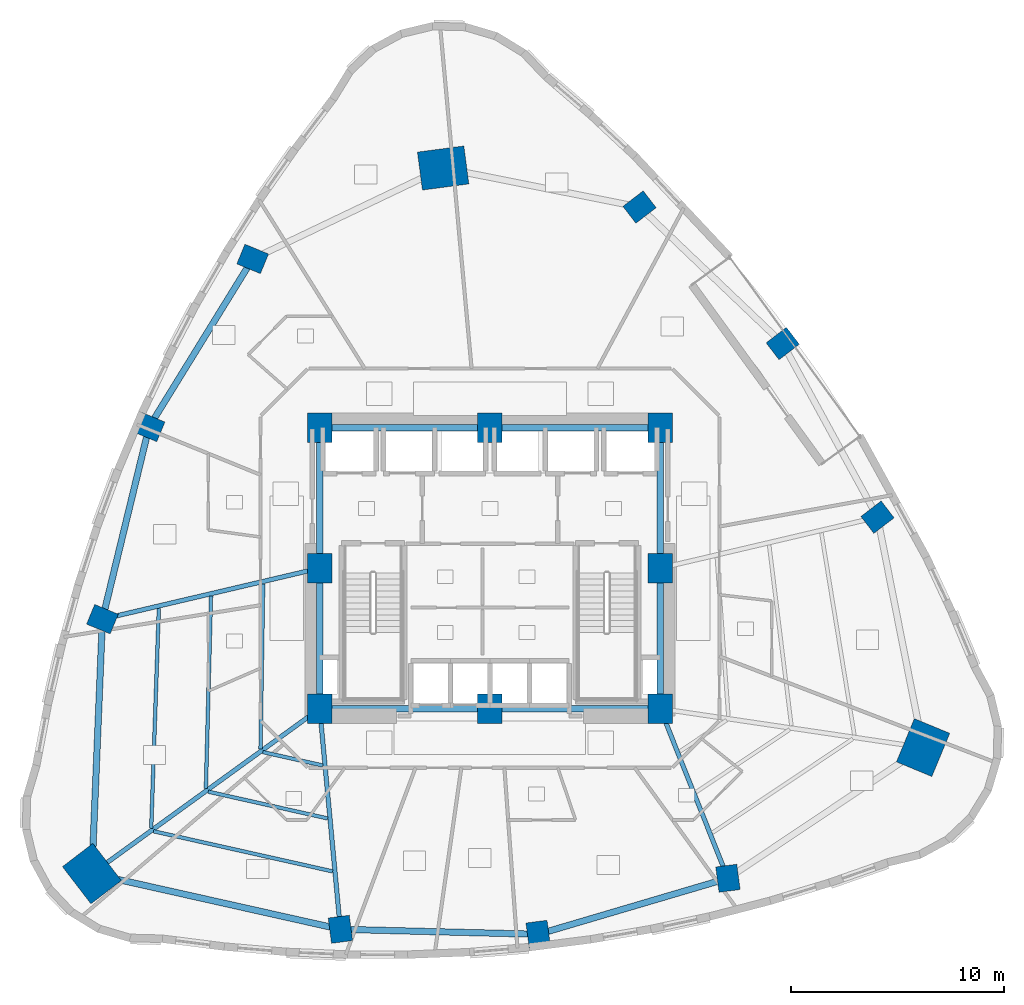
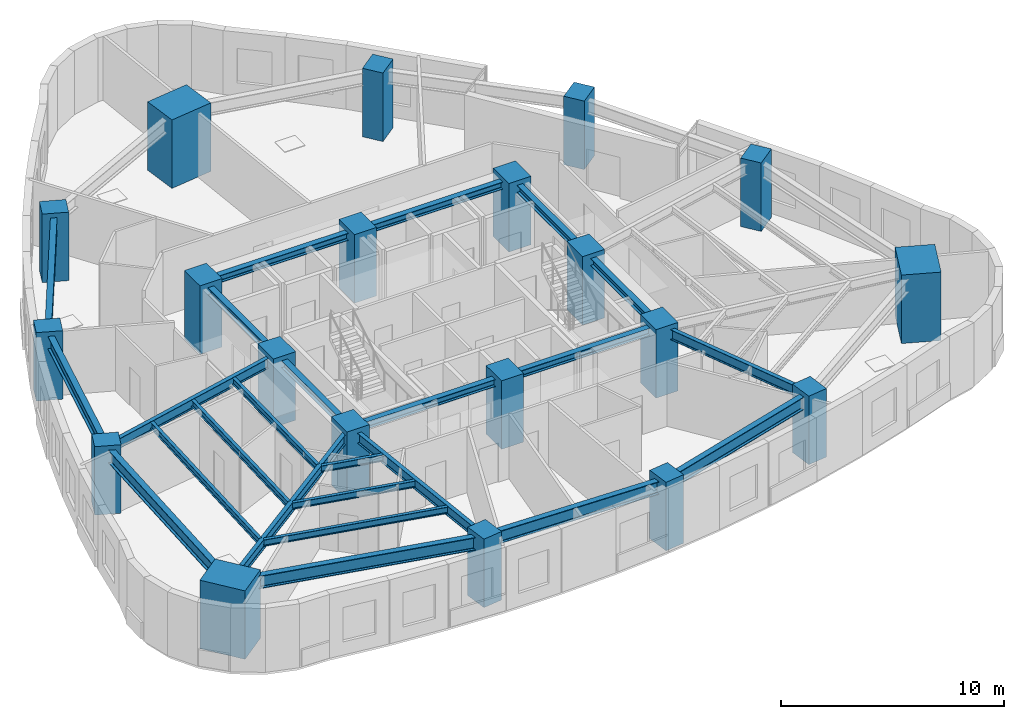
# One storey, part 1 of 15: 24 beams, 20 columns.
"""IFC4 building model written with IfcOpenShell, lengths in metres."""

from ifc_helpers import new_model, si_unit, direction, frame, origin, origin_2d, place, context, subcontext, project, spatial, rectangle, i_section, extrude, material, material_profile, profile_set, type_object, element, save


model = new_model("IFC4")

# Units and contexts
model_context = context("Model", 3, precision=1e-05, world=origin(), true_north=direction((0.0, 1.0)))
body_context = subcontext(model_context, "Body", "Model", "MODEL_VIEW")
ifc_project = project(units=[si_unit("LENGTHUNIT", "METRE"), si_unit("AREAUNIT", "SQUARE_METRE"), si_unit("VOLUMEUNIT", "CUBIC_METRE"), si_unit("PLANEANGLEUNIT", "RADIAN"), si_unit("MASSUNIT", "GRAM", prefix="KILO")], contexts=[model_context])

# Site, building, storey
site_placement = place(None, origin())
site = spatial("IfcSite", under=ifc_project, at=site_placement, CompositionType="ELEMENT")
building_placement = place(site_placement, origin())
building = spatial("IfcBuilding", under=site, at=building_placement, Name="Ndelora Gate Hotel", CompositionType="ELEMENT")
storey_placement = place(building_placement, frame((0.0, 0.0, 53.0)))
storey = spatial("IfcBuildingStorey", under=building, at=storey_placement, Name="L12", CompositionType="ELEMENT", Elevation=53.0)

# Columns
ifc_material_1 = material(Name="Concrete C60/75", Category="concrete")
ifc_material_profile_1 = material_profile(ifc_material_1, rectangle(XDim=1.14990234375, YDim=1.39990234375, at=origin_2d()), Name="RC 1400x1150")
ifc_profile_set_1 = profile_set([ifc_material_profile_1], Name="Concrete C60/75")
column_type_1 = type_object("IfcColumnType", Name="COL-CC-LOW", PredefinedType="COLUMN", material=ifc_profile_set_1)
for number, where, z_axis, x_axis, name in (
    (1, (-8.0, -6.60009765625, 0.0), (0.0, 0.0, 1.0), (1.0, 0.0, 0.0), "L12 Core Column CC1"),
    (2, (0.0, -6.60009765625, 0.0), (0.0, 0.0, 1.0), (1.0, 0.0, 0.0), "L12 Core Column CC2"),
    (3, (8.0, -6.60009765625, 0.0), (0.0, 0.0, 1.0), (1.0, 0.0, 0.0), "L12 Core Column CC3"),
    (4, (8.0, 0.0, 0.0), (0.0, 0.0, 1.0), (1.0, 0.0, 0.0), "L12 Core Column CC4"),
    (5, (8.0, 6.60009765625, 0.0), (0.0, 0.0, 1.0), (1.0, 0.0, 0.0), "L12 Core Column CC5"),
    (6, (0.0, 6.60009765625, 0.0), (0.0, 0.0, 1.0), (1.0, 0.0, 0.0), "L12 Core Column CC6"),
    (7, (-8.0, 6.60009765625, 0.0), (0.0, 0.0, 1.0), (1.0, 0.0, 0.0), "L12 Core Column CC7"),
    (8, (-8.0, 0.0, 0.0), (0.0, 0.0, 1.0), (1.0, 0.0, 0.0), "L12 Core Column CC8"),
):
    element("IfcColumn", number, at=place(storey_placement, frame(where, z_axis=z_axis, x_axis=x_axis)), inside=storey, type_object=column_type_1, Name=name, PredefinedType="COLUMN", context=body_context, shape_type="SweptSolid", body=[
        extrude(rectangle(XDim=1.14990234375, YDim=1.39990234375, at=origin_2d()), origin(), (0.0, 0.0, 1.0), 3.75),
    ])
ifc_material_profile_2 = material_profile(ifc_material_1, rectangle(XDim=1.800048828125, YDim=2.199951171875, at=origin_2d()), Name="RC 2200x1800")
ifc_profile_set_2 = profile_set([ifc_material_profile_2], Name="Concrete C60/75")
column_type_2 = type_object("IfcColumnType", Name="COL-MC-Z1", PredefinedType="COLUMN", material=ifc_profile_set_2)
for number, where, z_axis, x_axis, name in (
    (9, (-2.199951171875, 18.800048828125, 0.0), (0.0, 0.0, 1.0), (-0.13052619222, 0.991444861374, 0.0), "L12 Corner Mega-Column R1"),
    (10, (-18.701904296875, -14.3505859375, 0.0), (0.0, 0.0, 1.0), (0.793353340291, 0.608761429009, 0.0), "L12 Corner Mega-Column R5"),
    (11, (20.35009765625, -8.42919921875, 0.0), (0.0, 0.0, 1.0), (-0.923879532511, 0.382683432365, 0.0), "L12 Corner Mega-Column R9"),
):
    element("IfcColumn", number, at=place(storey_placement, frame(where, z_axis=z_axis, x_axis=x_axis)), inside=storey, type_object=column_type_2, Name=name, PredefinedType="COLUMN", context=body_context, shape_type="SweptSolid", body=[
        extrude(rectangle(XDim=1.800048828125, YDim=2.199951171875, at=origin_2d()), origin(), (0.0, 0.0, 1.0), 3.75),
    ])
ifc_material_profile_3 = material_profile(ifc_material_1, rectangle(XDim=1.0, YDim=1.199951171875, at=origin_2d()), Name="RC 1200x1000")
ifc_profile_set_3 = profile_set([ifc_material_profile_3], Name="Concrete C60/75")
column_type_3 = type_object("IfcColumnType", Name="COL-PT-Z1", PredefinedType="COLUMN", material=ifc_profile_set_3)
for number, where, z_axis, x_axis, name in (
    (12, (-11.1484375, 14.529052734375, 0.0), (0.0, 0.0, 1.0), (0.382683432365, 0.923879532511, 0.0), "L12 Perimeter Tube Column R2"),
    (13, (-16.016845703125, 6.634521484375, 0.0), (0.0, 0.0, 1.0), (0.382683432365, 0.923879532511, 0.0), "L12 Perimeter Tube Column R3"),
    (14, (-18.207275390625, -2.39697265625, 0.0), (0.0, 0.0, 1.0), (0.382683432365, 0.923879532511, 0.0), "L12 Perimeter Tube Column R4"),
    (15, (-7.027587890625, -16.96630859375, 0.0), (0.0, 0.0, 1.0), (0.991444861374, 0.13052619222, 0.0), "L12 Perimeter Tube Column R6"),
    (16, (2.2646484375, -17.20166015625, 0.0), (0.0, 0.0, 1.0), (0.991444861374, 0.13052619222, 0.0), "L12 Perimeter Tube Column R7"),
    (17, (11.179443359375, -14.5693359375, 0.0), (0.0, 0.0, 1.0), (0.991444861374, 0.13052619222, 0.0), "L12 Perimeter Tube Column R8"),
    (18, (18.207275390625, 2.39697265625, 0.0), (0.0, 0.0, 1.0), (-0.608761429009, 0.793353340291, 0.0), "L12 Perimeter Tube Column R10"),
    (19, (13.75390625, 10.5537109375, 0.0), (0.0, 0.0, 1.0), (-0.608761429009, 0.793353340291, 0.0), "L12 Perimeter Tube Column R11"),
    (20, (7.027587890625, 16.96630859375, 0.0), (0.0, 0.0, 1.0), (-0.608761429009, 0.793353340291, 0.0), "L12 Perimeter Tube Column R12"),
):
    element("IfcColumn", number, at=place(storey_placement, frame(where, z_axis=z_axis, x_axis=x_axis)), inside=storey, type_object=column_type_3, Name=name, PredefinedType="COLUMN", context=body_context, shape_type="SweptSolid", body=[
        extrude(rectangle(XDim=1.0, YDim=1.199951171875, at=origin_2d()), origin(), (0.0, 0.0, 1.0), 3.75),
    ])

# Beams
ifc_material_2 = material(Name="Steel S355", Category="steel")
ifc_material_profile_4 = material_profile(ifc_material_2, i_section(OverallWidth=0.300048828125, OverallDepth=0.39990234375, WebThickness=0.013427734375, FlangeThickness=0.02392578125, FilletRadius=0.027099609375, at=origin_2d()), Name="HEB 400")
ifc_profile_set_4 = profile_set([ifc_material_profile_4], Name="Steel S355")
beam_type_1 = type_object("IfcBeamType", Name="BM-CORE-400", PredefinedType="BEAM", material=ifc_profile_set_4)
for number, where, z_axis, x_axis, name in (
    (21, (-8.0, 6.60009765625, 3.300048828125), (1.0, 0.0, 0.0), (0.0, 1.0, 0.0), "L12 Core Tie Girder CC7-CC6"),
    (22, (0.0, 6.60009765625, 3.300048828125), (1.0, 0.0, 0.0), (0.0, 1.0, 0.0), "L12 Core Tie Girder CC6-CC5"),
):
    element("IfcBeam", number, at=place(storey_placement, frame(where, z_axis=z_axis, x_axis=x_axis)), inside=storey, type_object=beam_type_1, Name=name, PredefinedType="BEAM", context=body_context, shape_type="SweptSolid", body=[
        extrude(i_section(OverallWidth=0.300048828125, OverallDepth=0.39990234375, WebThickness=0.013427734375, FlangeThickness=0.02392578125, FilletRadius=0.027099609375, at=origin_2d()), origin(), (0.0, 0.0, 1.0), 8.0),
    ])
for number, where, z_axis, x_axis, name in (
    (23, (-8.0, -6.60009765625, 3.300048828125), (0.0, 1.0, 0.0), (-1.0, 0.0, 0.0), "L12 Core Tie Girder CC1-CC8"),
    (24, (-8.0, 0.0, 3.300048828125), (0.0, 1.0, 0.0), (-1.0, 0.0, 0.0), "L12 Core Tie Girder CC8-CC7"),
    (25, (8.0, -6.60009765625, 3.300048828125), (0.0, 1.0, 0.0), (-1.0, 0.0, 0.0), "L12 Core Tie Girder CC3-CC4"),
    (26, (8.0, 0.0, 3.300048828125), (0.0, 1.0, 0.0), (-1.0, 0.0, 0.0), "L12 Core Tie Girder CC4-CC5"),
):
    element("IfcBeam", number, at=place(storey_placement, frame(where, z_axis=z_axis, x_axis=x_axis)), inside=storey, type_object=beam_type_1, Name=name, PredefinedType="BEAM", context=body_context, shape_type="SweptSolid", body=[
        extrude(i_section(OverallWidth=0.300048828125, OverallDepth=0.39990234375, WebThickness=0.013427734375, FlangeThickness=0.02392578125, FilletRadius=0.027099609375, at=origin_2d()), origin(), (0.0, 0.0, 1.0), 6.60009765625),
    ])
for number, where, z_axis, x_axis, name in (
    (27, (-8.0, -6.60009765625, 3.300048828125), (1.0, 0.0, 0.0), (0.0, 1.0, 0.0), "L12 Core Tie Girder CC1-CC2"),
    (28, (0.0, -6.60009765625, 3.300048828125), (1.0, 0.0, 0.0), (0.0, 1.0, 0.0), "L12 Core Tie Girder CC2-CC3"),
):
    element("IfcBeam", number, at=place(storey_placement, frame(where, z_axis=z_axis, x_axis=x_axis)), inside=storey, type_object=beam_type_1, Name=name, PredefinedType="BEAM", context=body_context, shape_type="SweptSolid", body=[
        extrude(i_section(OverallWidth=0.300048828125, OverallDepth=0.39990234375, WebThickness=0.013427734375, FlangeThickness=0.02392578125, FilletRadius=0.027099609375, at=origin_2d()), origin(), (0.0, 0.0, 1.0), 8.0),
    ])
ifc_material_profile_5 = material_profile(ifc_material_2, i_section(OverallWidth=0.169921875, OverallDepth=0.360107421875, WebThickness=0.008056640625, FlangeThickness=0.0126953125, FilletRadius=0.01806640625, at=origin_2d()), Name="IPE 360")
ifc_profile_set_5 = profile_set([ifc_material_profile_5], Name="Steel S355")
beam_type_2 = type_object("IfcBeamType", Name="BM-JST-360", PredefinedType="JOIST", material=ifc_profile_set_5)
beam_1_placement = place(storey_placement, frame((-10.65576171875, -0.73828125, 3.320068359375), z_axis=(-0.016071150123, -0.999870850727, 0.0), x_axis=(0.999870850727, -0.016071150123, 0.0)))
element("IfcBeam", 29, at=beam_1_placement, inside=storey, type_object=beam_type_2, Name="L12 Secondary Composite Floor Joist IN-4", PredefinedType="JOIST", context=body_context, shape_type="SweptSolid", body=[
    extrude(i_section(OverallWidth=0.169921875, OverallDepth=0.360107421875, WebThickness=0.008056640625, FlangeThickness=0.0126953125, FilletRadius=0.01806640625, at=origin_2d()), origin(), (0.0, 0.0, 1.0), 7.7626953125),
])
beam_2_placement = place(storey_placement, frame((-13.106689453125, -1.3134765625, 3.320068359375), z_axis=(-0.02665287705, -0.999644748971, 0.0), x_axis=(0.999644748971, -0.02665287705, 0.0)))
element("IfcBeam", 30, at=beam_2_placement, inside=storey, type_object=beam_type_2, Name="L12 Secondary Composite Floor Joist MID-4", PredefinedType="JOIST", context=body_context, shape_type="SweptSolid", body=[
    extrude(i_section(OverallWidth=0.169921875, OverallDepth=0.360107421875, WebThickness=0.008056640625, FlangeThickness=0.0126953125, FilletRadius=0.01806640625, at=origin_2d()), origin(), (0.0, 0.0, 1.0), 9.050048828125),
])
beam_3_placement = place(storey_placement, frame((-15.557373046875, -1.888671875, 3.320068359375), z_axis=(-0.034620883261, -0.999400517532, 0.0), x_axis=(0.999400517532, -0.034620883261, 0.0)))
element("IfcBeam", 31, at=beam_3_placement, inside=storey, type_object=beam_type_2, Name="L12 Secondary Composite Floor Joist OUT-4", PredefinedType="JOIST", context=body_context, shape_type="SweptSolid", body=[
    extrude(i_section(OverallWidth=0.169921875, OverallDepth=0.360107421875, WebThickness=0.008056640625, FlangeThickness=0.0126953125, FilletRadius=0.01806640625, at=origin_2d()), origin(), (0.0, 0.0, 1.0), 10.337890625),
])
beam_4_placement = place(storey_placement, frame((-10.67041015625, -8.640380859375, 3.320068359375), z_axis=(0.975820751938, -0.218572322325, 0.0), x_axis=(0.218572322325, 0.975820751938, 0.0)))
element("IfcBeam", 32, at=beam_4_placement, inside=storey, type_object=beam_type_2, Name="L12 Secondary Composite Floor Joist IN-5", PredefinedType="JOIST", context=body_context, shape_type="SweptSolid", body=[
    extrude(i_section(OverallWidth=0.169921875, OverallDepth=0.360107421875, WebThickness=0.008056640625, FlangeThickness=0.0126953125, FilletRadius=0.01806640625, at=origin_2d()), origin(), (0.0, 0.0, 1.0), 2.880615234375),
])
beam_5_placement = place(storey_placement, frame((-13.23876953125, -10.50048828125, 3.320068359375), z_axis=(0.975805037012, -0.218642470123, 0.0), x_axis=(0.218642470123, 0.975805037012, 0.0)))
element("IfcBeam", 33, at=beam_5_placement, inside=storey, type_object=beam_type_2, Name="L12 Secondary Composite Floor Joist MID-5", PredefinedType="JOIST", context=body_context, shape_type="SweptSolid", body=[
    extrude(i_section(OverallWidth=0.169921875, OverallDepth=0.360107421875, WebThickness=0.008056640625, FlangeThickness=0.0126953125, FilletRadius=0.01806640625, at=origin_2d()), origin(), (0.0, 0.0, 1.0), 5.751708984375),
])
beam_6_placement = place(storey_placement, frame((-15.80712890625, -12.360595703125, 3.320068359375), z_axis=(0.975802493229, -0.218653822759, 0.0), x_axis=(0.218653822759, 0.975802493229, 0.0)))
element("IfcBeam", 34, at=beam_6_placement, inside=storey, type_object=beam_type_2, Name="L12 Secondary Composite Floor Joist OUT-5", PredefinedType="JOIST", context=body_context, shape_type="SweptSolid", body=[
    extrude(i_section(OverallWidth=0.169921875, OverallDepth=0.360107421875, WebThickness=0.008056640625, FlangeThickness=0.0126953125, FilletRadius=0.01806640625, at=origin_2d()), origin(), (0.0, 0.0, 1.0), 8.623291015625),
])
ifc_material_profile_6 = material_profile(ifc_material_2, i_section(OverallWidth=0.2099609375, OverallDepth=0.550048828125, WebThickness=0.010986328125, FlangeThickness=0.01708984375, FilletRadius=0.02392578125, at=origin_2d()), Name="IPE 550")
ifc_profile_set_6 = profile_set([ifc_material_profile_6], Name="Steel S355")
beam_type_3 = type_object("IfcBeamType", Name="BM-RAD-550", PredefinedType="BEAM", material=ifc_profile_set_6)
beam_7_placement = place(storey_placement, frame((-8.0, 0.0, 3.22509765625), z_axis=(-0.973517848051, -0.22861102232, 0.0), x_axis=(0.22861102232, -0.973517848051, 0.0)))
element("IfcBeam", 35, at=beam_7_placement, inside=storey, type_object=beam_type_3, Name="L12 Radial Floor Girder 4", PredefinedType="BEAM", context=body_context, shape_type="SweptSolid", body=[
    extrude(i_section(OverallWidth=0.2099609375, OverallDepth=0.550048828125, WebThickness=0.010986328125, FlangeThickness=0.01708984375, FilletRadius=0.02392578125, at=origin_2d()), origin(), (0.0, 0.0, 1.0), 10.48486328125),
])
beam_8_placement = place(storey_placement, frame((-8.0, -6.60009765625, 3.22509765625), z_axis=(-0.809912157619, -0.586551188679, 0.0), x_axis=(0.586551188679, -0.809912157619, 0.0)))
element("IfcBeam", 36, at=beam_8_placement, inside=storey, type_object=beam_type_3, Name="L12 Radial Floor Girder 5", PredefinedType="BEAM", context=body_context, shape_type="SweptSolid", body=[
    extrude(i_section(OverallWidth=0.2099609375, OverallDepth=0.550048828125, WebThickness=0.010986328125, FlangeThickness=0.01708984375, FilletRadius=0.02392578125, at=origin_2d()), origin(), (0.0, 0.0, 1.0), 13.213623046875),
])
beam_9_placement = place(storey_placement, frame((-8.0, -6.60009765625, 3.22509765625), z_axis=(0.093395913855, -0.995629049031, 0.0), x_axis=(0.995629049031, 0.093395913855, 0.0)))
element("IfcBeam", 37, at=beam_9_placement, inside=storey, type_object=beam_type_3, Name="L12 Radial Floor Girder 6", PredefinedType="BEAM", context=body_context, shape_type="SweptSolid", body=[
    extrude(i_section(OverallWidth=0.2099609375, OverallDepth=0.550048828125, WebThickness=0.010986328125, FlangeThickness=0.01708984375, FilletRadius=0.02392578125, at=origin_2d()), origin(), (0.0, 0.0, 1.0), 10.41162109375),
])
beam_10_placement = place(storey_placement, frame((8.0, -6.60009765625, 3.22509765625), z_axis=(0.37056142644, -0.92880796144, 0.0), x_axis=(0.92880796144, 0.37056142644, 0.0)))
element("IfcBeam", 38, at=beam_10_placement, inside=storey, type_object=beam_type_3, Name="L12 Radial Floor Girder 8", PredefinedType="BEAM", context=body_context, shape_type="SweptSolid", body=[
    extrude(i_section(OverallWidth=0.2099609375, OverallDepth=0.550048828125, WebThickness=0.010986328125, FlangeThickness=0.01708984375, FilletRadius=0.02392578125, at=origin_2d()), origin(), (0.0, 0.0, 1.0), 8.580078125),
])
ifc_material_profile_7 = material_profile(ifc_material_2, i_section(OverallWidth=0.300048828125, OverallDepth=0.699951171875, WebThickness=0.01708984375, FlangeThickness=0.031982421875, FilletRadius=0.027099609375, at=origin_2d()), Name="HEB 700")
ifc_profile_set_7 = profile_set([ifc_material_profile_7], Name="Steel S355")
beam_type_4 = type_object("IfcBeamType", Name="BM-RING-700", PredefinedType="SPANDREL", material=ifc_profile_set_7)
beam_11_placement = place(storey_placement, frame((-11.1484375, 14.529052734375, 3.14990234375), z_axis=(-0.524897602516, -0.851165381623, 0.0), x_axis=(0.851165381623, -0.524897602516, 0.0)))
element("IfcBeam", 39, at=beam_11_placement, inside=storey, type_object=beam_type_4, Name="L12 Perimeter Spandrel Girder 2", PredefinedType="SPANDREL", context=body_context, shape_type="SweptSolid", body=[
    extrude(i_section(OverallWidth=0.300048828125, OverallDepth=0.699951171875, WebThickness=0.01708984375, FlangeThickness=0.031982421875, FilletRadius=0.027099609375, at=origin_2d()), origin(), (0.0, 0.0, 1.0), 9.27490234375),
])
beam_12_placement = place(storey_placement, frame((-16.016845703125, 6.634521484375, 3.14990234375), z_axis=(-0.235699273714, -0.971826040179, 0.0), x_axis=(0.971826040179, -0.235699273714, 0.0)))
element("IfcBeam", 40, at=beam_12_placement, inside=storey, type_object=beam_type_4, Name="L12 Perimeter Spandrel Girder 3", PredefinedType="SPANDREL", context=body_context, shape_type="SweptSolid", body=[
    extrude(i_section(OverallWidth=0.300048828125, OverallDepth=0.699951171875, WebThickness=0.01708984375, FlangeThickness=0.031982421875, FilletRadius=0.027099609375, at=origin_2d()), origin(), (0.0, 0.0, 1.0), 9.293212890625),
])
for number, where, z_axis, x_axis, name in (
    (41, (-18.207275390625, -2.39697265625, 3.14990234375), (-0.041343648978, -0.99914498582, 0.0), (0.99914498582, -0.041343648978, 0.0), "L12 Perimeter Spandrel Girder 4"),
    (42, (-18.701904296875, -14.3505859375, 3.14990234375), (0.97580624377, -0.218637084273, 0.0), (0.218637084273, 0.97580624377, 0.0), "L12 Perimeter Spandrel Girder 5"),
):
    element("IfcBeam", number, at=place(storey_placement, frame(where, z_axis=z_axis, x_axis=x_axis)), inside=storey, type_object=beam_type_4, Name=name, PredefinedType="SPANDREL", context=body_context, shape_type="SweptSolid", body=[
        extrude(i_section(OverallWidth=0.300048828125, OverallDepth=0.699951171875, WebThickness=0.01708984375, FlangeThickness=0.031982421875, FilletRadius=0.027099609375, at=origin_2d()), origin(), (0.0, 0.0, 1.0), 11.9638671875),
    ])
beam_13_placement = place(storey_placement, frame((-7.027587890625, -16.96630859375, 3.14990234375), z_axis=(0.999679406439, -0.025319643409, 0.0), x_axis=(0.025319643409, 0.999679406439, 0.0)))
element("IfcBeam", 43, at=beam_13_placement, inside=storey, type_object=beam_type_4, Name="L12 Perimeter Spandrel Girder 6", PredefinedType="SPANDREL", context=body_context, shape_type="SweptSolid", body=[
    extrude(i_section(OverallWidth=0.300048828125, OverallDepth=0.699951171875, WebThickness=0.01708984375, FlangeThickness=0.031982421875, FilletRadius=0.027099609375, at=origin_2d()), origin(), (0.0, 0.0, 1.0), 9.295166015625),
])
beam_14_placement = place(storey_placement, frame((2.2646484375, -17.20166015625, 3.14990234375), z_axis=(0.959064248316, 0.283188572514, 0.0), x_axis=(-0.283188572514, 0.959064248316, 0.0)))
element("IfcBeam", 44, at=beam_14_placement, inside=storey, type_object=beam_type_4, Name="L12 Perimeter Spandrel Girder 7", PredefinedType="SPANDREL", context=body_context, shape_type="SweptSolid", body=[
    extrude(i_section(OverallWidth=0.300048828125, OverallDepth=0.699951171875, WebThickness=0.01708984375, FlangeThickness=0.031982421875, FilletRadius=0.027099609375, at=origin_2d()), origin(), (0.0, 0.0, 1.0), 9.29541015625),
])

save(model, "model.ifc")
